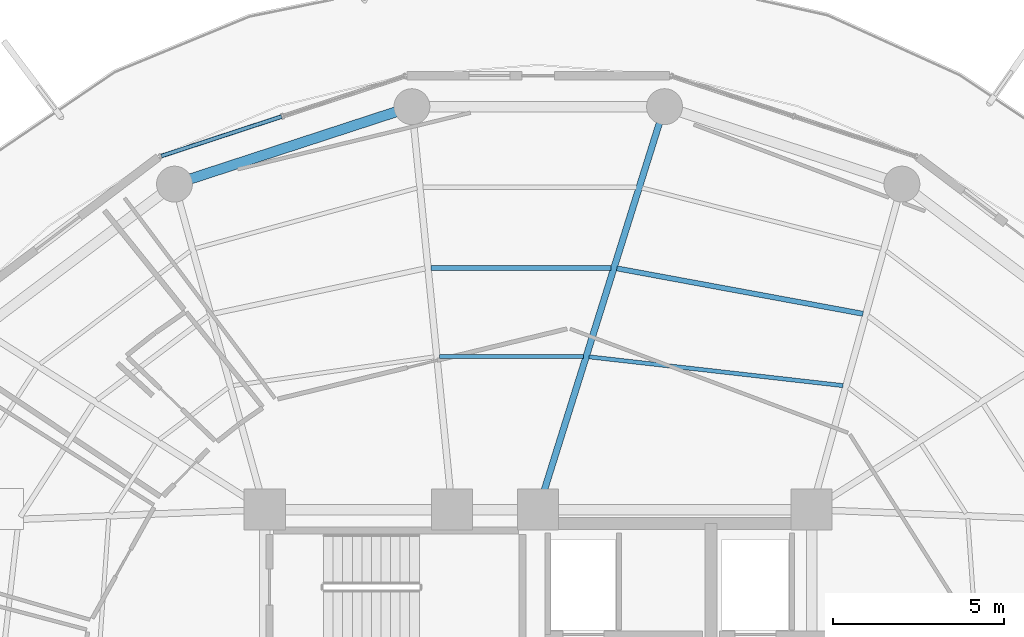
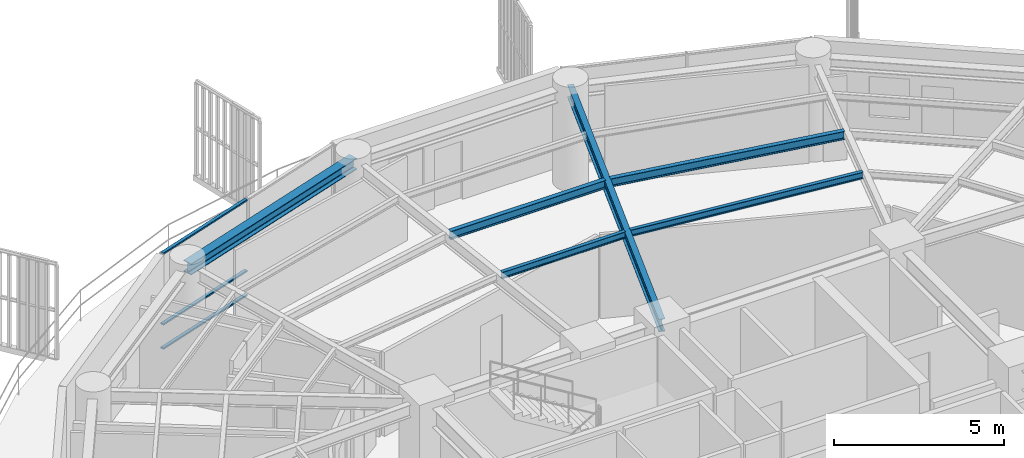
# One storey, part 18 of 30: 6 beams, 3 members, 1 element without a shape of its own.
"""IFC4 building model written with IfcOpenShell, lengths in metres."""

from ifc_helpers import new_model, si_unit, direction, frame, origin, origin_2d, place, context, subcontext, project, spatial, hollow_rectangle, i_section, extrude, material, layer, layer_set, material_profile, profile_set, type_object, element, aggregate, save


model = new_model("IFC4")

# Units and contexts
model_context = context("Model", 3, precision=1e-05, world=origin(), true_north=direction((0.0, 1.0)))
body_context = subcontext(model_context, "Body", "Model", "MODEL_VIEW")
ifc_project = project(units=[si_unit("LENGTHUNIT", "METRE"), si_unit("AREAUNIT", "SQUARE_METRE"), si_unit("VOLUMEUNIT", "CUBIC_METRE"), si_unit("PLANEANGLEUNIT", "RADIAN"), si_unit("MASSUNIT", "GRAM", prefix="KILO")], contexts=[model_context])

# Site, building, storey
site_placement = place(None, origin())
site = spatial("IfcSite", under=ifc_project, at=site_placement, CompositionType="ELEMENT")
building_placement = place(site_placement, origin())
building = spatial("IfcBuilding", under=site, at=building_placement, Name="Kelanora Arch Commons", CompositionType="ELEMENT")
storey_placement = place(building_placement, frame((0.0, 0.0, 215.699951171875)))
storey = spatial("IfcBuildingStorey", under=building, at=storey_placement, Name="L55", CompositionType="ELEMENT", Elevation=215.699951171875)

# Beams
ifc_material_1 = material(Name="Steel S355", Category="steel")
ifc_material_profile_1 = material_profile(ifc_material_1, i_section(OverallWidth=0.14990234375, OverallDepth=0.300048828125, WebThickness=0.007080078125, FlangeThickness=0.0107421875, FilletRadius=0.014892578125, at=origin_2d()), Name="IPE300")
ifc_profile_set_1 = profile_set([ifc_material_profile_1], Name="Steel S355")
beam_type_1 = type_object("IfcBeamType", Name="BM-JST-01", PredefinedType="JOIST", material=ifc_profile_set_1)
beam_1_placement = place(storey_placement, frame((83.50048828125, 70.729736328125, 3.340087890625), z_axis=(-0.983389964671, 0.181505309519, 0.0), x_axis=(-0.181505309519, -0.983389964671, 0.0)))
element("IfcBeam", 1, at=beam_1_placement, inside=storey, type_object=beam_type_1, Name="Secondary Chord Joist BJB-06 L55", PredefinedType="JOIST", context=body_context, shape_type="SweptSolid", body=[
    extrude(i_section(OverallWidth=0.14990234375, OverallDepth=0.300048828125, WebThickness=0.007080078125, FlangeThickness=0.0107421875, FilletRadius=0.014892578125, at=origin_2d()), origin(), (0.0, 0.0, 1.0), 7.3212890625),
])
beam_2_placement = place(storey_placement, frame((76.132080078125, 72.07421875, 3.340087890625), z_axis=(-1.0, 0.0, 0.0), x_axis=(0.0, -1.0, 0.0)))
element("IfcBeam", 2, at=beam_2_placement, inside=storey, type_object=beam_type_1, Name="Secondary Chord Joist BJB-08 L55", PredefinedType="JOIST", context=body_context, shape_type="SweptSolid", body=[
    extrude(i_section(OverallWidth=0.14990234375, OverallDepth=0.300048828125, WebThickness=0.007080078125, FlangeThickness=0.0107421875, FilletRadius=0.014892578125, at=origin_2d()), origin(), (0.0, 0.0, 1.0), 5.272216796875),
])
ifc_material_profile_2 = material_profile(ifc_material_1, i_section(OverallWidth=0.1201171875, OverallDepth=0.239990234375, WebThickness=0.006103515625, FlangeThickness=0.009765625, FilletRadius=0.014892578125, at=origin_2d()), Name="IPE240")
ifc_profile_set_2 = profile_set([ifc_material_profile_2], Name="Steel S355")
beam_type_2 = type_object("IfcBeamType", Name="BM-JST-02", PredefinedType="JOIST", material=ifc_profile_set_2)
beam_3_placement = place(storey_placement, frame((82.918701171875, 68.628662109375, 3.3701171875), z_axis=(-0.993639672263, 0.11260640171, 0.0), x_axis=(-0.11260640171, -0.993639672263, 0.0)))
element("IfcBeam", 3, at=beam_3_placement, inside=storey, type_object=beam_type_2, Name="Secondary Chord Joist BJA-06 L55", PredefinedType="JOIST", context=body_context, shape_type="SweptSolid", body=[
    extrude(i_section(OverallWidth=0.1201171875, OverallDepth=0.239990234375, WebThickness=0.006103515625, FlangeThickness=0.009765625, FilletRadius=0.014892578125, at=origin_2d()), origin(), (0.0, 0.0, 1.0), 7.477783203125),
])
beam_4_placement = place(storey_placement, frame((75.319091796875, 69.480224609375, 3.3701171875), z_axis=(-1.0, 0.0, 0.0), x_axis=(0.0, -1.0, 0.0)))
element("IfcBeam", 4, at=beam_4_placement, inside=storey, type_object=beam_type_2, Name="Secondary Chord Joist BJA-08 L55", PredefinedType="JOIST", context=body_context, shape_type="SweptSolid", body=[
    extrude(i_section(OverallWidth=0.1201171875, OverallDepth=0.239990234375, WebThickness=0.006103515625, FlangeThickness=0.009765625, FilletRadius=0.014892578125, at=origin_2d()), origin(), (0.0, 0.0, 1.0), 4.20068359375),
])
ifc_material_profile_3 = material_profile(ifc_material_1, i_section(OverallWidth=0.18994140625, OverallDepth=0.449951171875, WebThickness=0.009521484375, FlangeThickness=0.0146484375, FilletRadius=0.02099609375, at=origin_2d()), Name="IPE450")
ifc_profile_set_3 = profile_set([ifc_material_profile_3], Name="Steel S355")
beam_type_3 = type_object("IfcBeamType", Name="BM-RAD-Z4", PredefinedType="BEAM", material=ifc_profile_set_3)
beam_5_placement = place(storey_placement, frame((74.0, 65.0, 3.26513671875), z_axis=(0.299080457492, 0.954227897279, 0.0), x_axis=(-0.954227897279, 0.299080457492, 0.0)))
element("IfcBeam", 5, at=beam_5_placement, inside=storey, type_object=beam_type_3, Name="Radial Floor Girder BR-08 L55", PredefinedType="BEAM", context=body_context, shape_type="SweptSolid", body=[
    extrude(i_section(OverallWidth=0.18994140625, OverallDepth=0.449951171875, WebThickness=0.009521484375, FlangeThickness=0.0146484375, FilletRadius=0.02099609375, at=origin_2d()), origin(), (0.0, 0.0, 1.0), 12.35546875),
])
ifc_material_profile_4 = material_profile(ifc_material_1, i_section(OverallWidth=0.300048828125, OverallDepth=0.39990234375, WebThickness=0.013427734375, FlangeThickness=0.02392578125, FilletRadius=0.027099609375, at=origin_2d()), Name="HEB400")
ifc_profile_set_4 = profile_set([ifc_material_profile_4], Name="Steel S355")
beam_type_4 = type_object("IfcBeamType", Name="BM-SPN-Z4", PredefinedType="SPANDREL", material=ifc_profile_set_4)
beam_6_placement = place(storey_placement, frame((70.3046875, 76.7900390625, 3.2900390625), z_axis=(-0.950656361143, -0.310245842872, 0.0), x_axis=(0.310245842872, -0.950656361143, 0.0)))
element("IfcBeam", 6, at=beam_6_placement, inside=storey, type_object=beam_type_4, Name="Perimeter Spandrel Beam BS-10 L55", PredefinedType="SPANDREL", context=body_context, shape_type="SweptSolid", body=[
    extrude(i_section(OverallWidth=0.300048828125, OverallDepth=0.39990234375, WebThickness=0.013427734375, FlangeThickness=0.02392578125, FilletRadius=0.027099609375, at=origin_2d()), origin(), (0.0, 0.0, 1.0), 7.304931640625),
])

# Curtain wall, members
ifc_material_2 = material(Name="Terracotta ceramic-fritted low-E glass and aluminium", Category="masonry")
ifc_layer = layer(ifc_material_2, 0.175048828125)
ifc_layer_set = layer_set([ifc_layer], Name="Terracotta ceramic-fritted low-E glass and aluminium")
curtain_wall_type = type_object("IfcCurtainWallType", Name="CW-SYS-02", PredefinedType="NOTDEFINED", material=ifc_layer_set)
curtain_wall_placement = place(storey_placement, origin())
curtain_wall = element("IfcCurtainWall", 7, at=curtain_wall_placement, inside=storey, type_object=curtain_wall_type, Name="Unitised Curtain Wall L55-B05", PredefinedType="NOTDEFINED")
ifc_material_3 = material(Name="Powder-coated aluminium terracotta", Category="masonry")
ifc_material_profile_5 = material_profile(ifc_material_3, hollow_rectangle(XDim=0.1201171875, YDim=0.06005859375, WallThickness=0.0048828125, InnerFilletRadius=0.0048828125, OuterFilletRadius=0.010009765625, at=origin_2d()), Name="CWT120x60")
ifc_profile_set_5 = profile_set([ifc_material_profile_5], Name="Powder-coated aluminium terracotta")
member_type = type_object("IfcMemberType", Name="CWT-STD", PredefinedType="USERDEFINED", material=ifc_profile_set_5)
member_1_placement = place(storey_placement, frame((66.493896484375, 76.4990234375, 0.030029296875), z_axis=(-0.950226025222, -0.311561392011, 0.0), x_axis=(0.311561392011, -0.950226025222, 0.0)))
member_1 = element("IfcMember", 8, at=member_1_placement, type_object=member_type, Name="CW-02 transom 2.1", ObjectType="TRANSOM", PredefinedType="USERDEFINED", context=body_context, shape_type="SweptSolid", body=[
    extrude(hollow_rectangle(XDim=0.1201171875, YDim=0.06005859375, WallThickness=0.0048828125, InnerFilletRadius=0.0048828125, OuterFilletRadius=0.010009765625, at=origin_2d()), origin(), (0.0, 0.0, 1.0), 3.707275390625),
])
member_2_placement = place(storey_placement, frame((66.493896484375, 76.4990234375, 0.900146484375), z_axis=(-0.950226025222, -0.311561392011, 0.0), x_axis=(0.311561392011, -0.950226025222, 0.0)))
member_2 = element("IfcMember", 9, at=member_2_placement, type_object=member_type, Name="CW-02 transom 2.2", ObjectType="TRANSOM", PredefinedType="USERDEFINED", context=body_context, shape_type="SweptSolid", body=[
    extrude(hollow_rectangle(XDim=0.1201171875, YDim=0.06005859375, WallThickness=0.0048828125, InnerFilletRadius=0.0048828125, OuterFilletRadius=0.010009765625, at=origin_2d()), origin(), (0.0, 0.0, 1.0), 3.707275390625),
])
member_3_placement = place(storey_placement, frame((66.493896484375, 76.4990234375, 3.445068359375), z_axis=(-0.950226025222, -0.311561392011, 0.0), x_axis=(0.311561392011, -0.950226025222, 0.0)))
member_3 = element("IfcMember", 10, at=member_3_placement, type_object=member_type, Name="CW-02 transom 2.3", ObjectType="TRANSOM", PredefinedType="USERDEFINED", context=body_context, shape_type="SweptSolid", body=[
    extrude(hollow_rectangle(XDim=0.1201171875, YDim=0.06005859375, WallThickness=0.0048828125, InnerFilletRadius=0.0048828125, OuterFilletRadius=0.010009765625, at=origin_2d()), origin(), (0.0, 0.0, 1.0), 3.707275390625),
])
aggregate(curtain_wall, [member_1, member_2, member_3])

save(model, "model.ifc")
